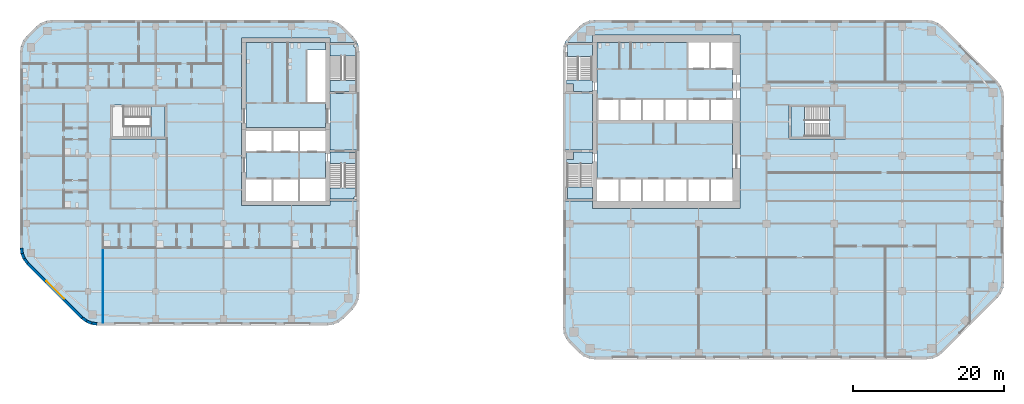
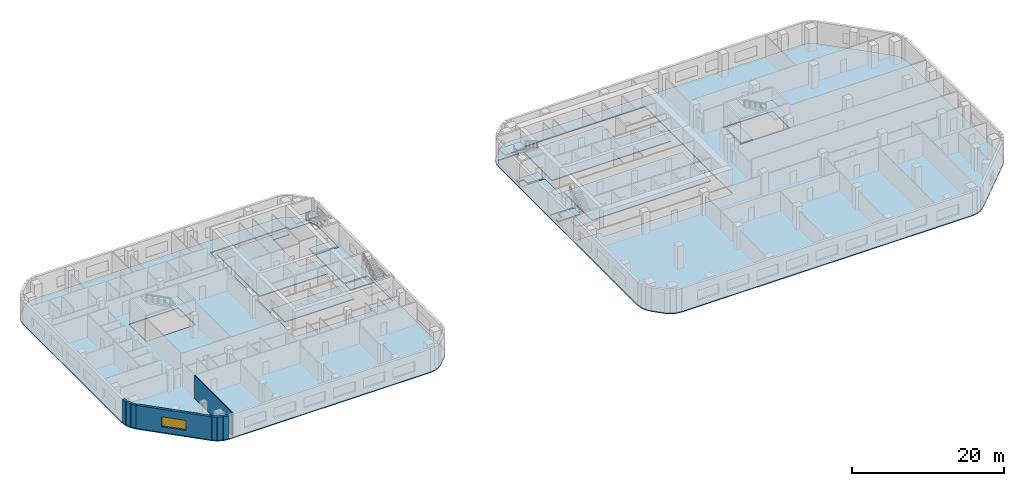
# One storey, part 4 of 16: 17 slabs, 8 walls, 1 window, 1 opening, 6 elements without a shape of their own.
"""IFC4 building model written with IfcOpenShell, lengths in metres."""

from ifc_helpers import new_model, si_unit, direction, frame, frame_2d, origin, place, context, subcontext, project, spatial, polyline, rectangle, outline, extrude, material, layer, layer_set, type_object, element, fill, aggregate, save


model = new_model("IFC4")

# Units and contexts
model_context = context("Model", 3, precision=1e-05, world=origin(), true_north=direction((0.0, 1.0)))
body_context = subcontext(model_context, "Body", "Model", "MODEL_VIEW")
ifc_project = project(units=[si_unit("LENGTHUNIT", "METRE"), si_unit("AREAUNIT", "SQUARE_METRE"), si_unit("VOLUMEUNIT", "CUBIC_METRE"), si_unit("PLANEANGLEUNIT", "RADIAN"), si_unit("MASSUNIT", "GRAM", prefix="KILO")], contexts=[model_context])

# Site, building, storey
site_placement = place(None, origin())
site = spatial("IfcSite", under=ifc_project, at=site_placement, CompositionType="ELEMENT")
building_placement = place(site_placement, origin())
building = spatial("IfcBuilding", under=site, at=building_placement, Name="Cinnabar Reach Civic Tower", CompositionType="ELEMENT")
storey_placement = place(building_placement, frame((0.0, 0.0, 42.0)))
storey = spatial("IfcBuildingStorey", under=building, at=storey_placement, Name="L09", CompositionType="ELEMENT", Elevation=42.0)

# Slabs
ifc_material_1 = material(Name="Concrete C40", Category="concrete")
ifc_layer_1 = layer(ifc_material_1, 0.15)
ifc_layer_set_1 = layer_set([ifc_layer_1], Name="Composite floor slab 150 REI 120")
slab_type_1 = type_object("IfcSlabType", Name="Composite floor slab 150 REI 120", PredefinedType="FLOOR", material=ifc_layer_set_1)
slab_1_placement = place(storey_placement, frame((0.0, 0.0, -0.15)))
element("IfcSlab", 1, at=slab_1_placement, inside=storey, type_object=slab_type_1, Name="Composite floor slab 150 T2 L09", PredefinedType="FLOOR", context=body_context, shape_type="SweptSolid", body=[
    extrude(outline(polyline([(-71.1213, 12.6213), (-71.5981, 13.2426), (-71.8978, 13.9662), (-72.0, 14.7426), (-72.0, 40.7574), (-71.8978, 41.5338), (-71.5981, 42.2574), (-71.1213, 42.8787), (-69.8787, 44.1213), (-69.2574, 44.5981), (-68.5338, 44.8978), (-67.7574, 45.0), (-31.2426, 45.0), (-30.4662, 44.8978), (-29.7426, 44.5981), (-29.1213, 44.1213), (-27.8787, 42.8787), (-27.4019, 42.2574), (-27.1022, 41.5338), (-27.0, 40.7574), (-27.0, 8.7426), (-27.1022, 7.9662), (-27.4019, 7.2426), (-27.8787, 6.6213), (-29.1213, 5.3787), (-29.7426, 4.9019), (-30.4662, 4.6022), (-31.2426, 4.5), (-61.7574, 4.5), (-62.5338, 4.6022), (-63.2574, 4.9019), (-63.8787, 5.3787), (-71.1213, 12.6213)]), holes=[polyline([(-30.9, 27.75), (-30.9, 35.25), (-27.36, 35.25), (-27.36, 40.7338), (-27.453, 41.4398), (-27.685, 42.0), (-30.9, 42.0), (-30.9, 42.6), (-42.6, 42.6), (-42.6, 20.4), (-30.9, 20.4), (-30.9, 21.0), (-27.36, 21.0), (-27.36, 27.75), (-30.9, 27.75)]), polyline([(-60.0, 33.75), (-60.0, 29.25), (-52.5, 29.25), (-52.5, 33.75), (-60.0, 33.75)])]), origin(), (0.0, 0.0, 1.0), 0.15),
])
ifc_layer_2 = layer(ifc_material_1, 0.15)
ifc_layer_set_2 = layer_set([ifc_layer_2], Name="Composite floor slab 150 REI 150")
slab_type_2 = type_object("IfcSlabType", Name="Composite floor slab 150 REI 150", PredefinedType="FLOOR", material=ifc_layer_set_2)
slab_2_placement = place(storey_placement, frame((0.0, 0.0, -0.15)))
element("IfcSlab", 2, at=slab_2_placement, inside=storey, type_object=slab_type_2, Name="Composite floor slab 150 T1 L09", PredefinedType="FLOOR", context=body_context, shape_type="SweptSolid", body=[
    extrude(outline(polyline([(0.8787, 2.1213), (0.4019, 2.7426), (0.1022, 3.4662), (0.0, 4.2426), (0.0, 40.7574), (0.1022, 41.5338), (0.4019, 42.2574), (0.8787, 42.8787), (2.1213, 44.1213), (2.7426, 44.5981), (3.4662, 44.8978), (4.2426, 45.0), (48.2574, 45.0), (49.0338, 44.8978), (49.7574, 44.5981), (50.3787, 44.1213), (57.6213, 36.8787), (58.0981, 36.2574), (58.3978, 35.5338), (58.5, 34.7574), (58.5, 10.2426), (58.3978, 9.4662), (58.0981, 8.7426), (57.6213, 8.1213), (50.3787, 0.8787), (49.7574, 0.4019), (49.0338, 0.1022), (48.2574, 0.0), (4.2426, 0.0), (3.4662, 0.1022), (2.7426, 0.4019), (2.1213, 0.8787), (0.8787, 2.1213)]), holes=[polyline([(0.36, 21.0), (3.9, 21.0), (3.9, 20.0), (23.5, 20.0), (23.5, 43.0), (3.9, 43.0), (3.9, 42.0), (0.685, 42.0), (0.453, 41.4398), (0.36, 40.7338), (0.36, 35.25), (3.9, 35.25), (3.9, 27.75), (0.36, 27.75), (0.36, 21.0)]), polyline([(30.0, 33.75), (30.0, 29.25), (37.5, 29.25), (37.5, 33.75), (30.0, 33.75)])]), origin(), (0.0, 0.0, 1.0), 0.15),
])

# Stair, slabs
ifc_material_2 = material(Name="Concrete C40/50", Category="concrete")
stair_type_1 = type_object("IfcStairType", Name="T1 Exit stair, half-turn", PredefinedType="HALF_TURN_STAIR", material=ifc_material_2)
stair_1_placement = place(storey_placement, origin())
stair_1 = element("IfcStair", 3, at=stair_1_placement, inside=storey, type_object=stair_type_1, Name="Stair T1-S1", PredefinedType="HALF_TURN_STAIR")
ifc_layer_3 = layer(ifc_material_2, 0.2)
ifc_layer_set_3 = layer_set([ifc_layer_3], Name="T1 Stair landing 200, Concrete C40/50")
slab_type_3 = type_object("IfcSlabType", Name="T1 Stair landing 200, Concrete C40/50", PredefinedType="LANDING", material=ifc_layer_set_3)
slab_3_placement = place(storey_placement, frame((0.0, 0.0, -0.2)))
slab_3 = element("IfcSlab", 4, at=slab_3_placement, type_object=slab_type_3, Name="T1-S1 landing 1", PredefinedType="LANDING", context=body_context, shape_type="SweptSolid", body=[
    extrude(outline(polyline([(3.9, 27.5), (3.9, 25.95), (0.5, 25.95), (0.5, 26.5), (1.4, 26.5), (1.4, 27.5), (3.9, 27.5)])), origin(), (0.0, 0.0, 1.0), 0.2),
])
slab_4_placement = place(storey_placement, frame((0.0, 0.0, 1.8)))
slab_4 = element("IfcSlab", 5, at=slab_4_placement, type_object=slab_type_3, Name="T1-S1 landing 2", PredefinedType="LANDING", context=body_context, shape_type="SweptSolid", body=[
    extrude(outline(polyline([(0.6, 21.25), (0.6, 22.87), (3.9, 22.87), (3.9, 21.25), (0.6, 21.25)])), origin(), (0.0, 0.0, 1.0), 0.2),
])
aggregate(stair_1, [slab_3, slab_4])

stair_2_placement = place(storey_placement, origin())
stair_2 = element("IfcStair", 6, at=stair_2_placement, inside=storey, type_object=stair_type_1, Name="Stair T1-S2", PredefinedType="HALF_TURN_STAIR")
slab_5_placement = place(storey_placement, frame((0.0, 0.0, -0.2)))
slab_5 = element("IfcSlab", 7, at=slab_5_placement, type_object=slab_type_3, Name="T1-S2 landing 1", PredefinedType="LANDING", context=body_context, shape_type="SweptSolid", body=[
    extrude(outline(polyline([(0.5, 37.05), (3.9, 37.05), (3.9, 35.5), (1.4, 35.5), (1.4, 36.5), (0.5, 36.5), (0.5, 37.05)])), origin(), (0.0, 0.0, 1.0), 0.2),
])
slab_6_placement = place(storey_placement, frame((0.0, 0.0, 1.8)))
slab_6 = element("IfcSlab", 8, at=slab_6_placement, type_object=slab_type_3, Name="T1-S2 landing 2", PredefinedType="LANDING", context=body_context, shape_type="SweptSolid", body=[
    extrude(outline(polyline([(0.6, 40.13), (0.6, 41.75), (3.9, 41.75), (3.9, 40.13), (0.6, 40.13)])), origin(), (0.0, 0.0, 1.0), 0.2),
])
aggregate(stair_2, [slab_5, slab_6])

stair_3_placement = place(storey_placement, origin())
stair_3 = element("IfcStair", 9, at=stair_3_placement, inside=storey, type_object=stair_type_1, Name="Stair T1-S3", PredefinedType="HALF_TURN_STAIR")
slab_7_placement = place(storey_placement, frame((0.0, 0.0, -0.2)))
slab_7 = element("IfcSlab", 10, at=slab_7_placement, type_object=slab_type_3, Name="T1-S3 landing 1", PredefinedType="LANDING", context=body_context, shape_type="SweptSolid", body=[
    extrude(outline(polyline([(30.25, 29.5), (32.05, 29.5), (32.05, 33.5), (30.25, 33.5), (30.25, 29.5)])), origin(), (0.0, 0.0, 1.0), 0.2),
])
slab_8_placement = place(storey_placement, frame((0.0, 0.0, 1.8)))
slab_8 = element("IfcSlab", 11, at=slab_8_placement, type_object=slab_type_3, Name="T1-S3 landing 2", PredefinedType="LANDING", context=body_context, shape_type="SweptSolid", body=[
    extrude(outline(polyline([(35.35, 29.5), (37.25, 29.5), (37.25, 33.5), (35.35, 33.5), (35.35, 29.5)])), origin(), (0.0, 0.0, 1.0), 0.2),
])
aggregate(stair_3, [slab_7, slab_8])

# Slabs
ifc_layer_4 = layer(ifc_material_2, 0.15)
ifc_layer_set_4 = layer_set([ifc_layer_4], Name="T1 core floor slab 150")
slab_type_4 = type_object("IfcSlabType", Name="T1 core floor slab 150", PredefinedType="FLOOR", material=ifc_layer_set_4)
slab_9_placement = place(storey_placement, frame((0.0, 0.0, -0.15)))
element("IfcSlab", 12, at=slab_9_placement, inside=storey, type_object=slab_type_4, Name="Core floor slab L09", PredefinedType="FLOOR", context=body_context, shape_type="SweptSolid", body=[
    extrude(outline(polyline([(22.5, 24.0), (19.5, 24.0), (16.5, 24.0), (13.5, 24.0), (10.5, 24.0), (7.5, 24.0), (4.5, 24.0), (4.5, 31.5), (7.5, 31.5), (10.5, 31.5), (13.5, 31.5), (16.5, 31.5), (19.5, 31.5), (22.5, 31.5), (22.5, 24.0)])), origin(), (0.0, 0.0, 1.0), 0.15),
])
slab_10_placement = place(storey_placement, frame((0.0, 0.0, -0.15)))
element("IfcSlab", 13, at=slab_10_placement, inside=storey, type_object=slab_type_4, Name="Core floor slab L09", PredefinedType="FLOOR", context=body_context, shape_type="SweptSolid", body=[
    extrude(outline(polyline([(22.5, 34.5), (19.5, 34.5), (16.5, 34.5), (13.5, 34.5), (10.5, 34.5), (7.5, 34.5), (4.5, 34.5), (4.5, 42.0), (16.5, 42.0), (16.5, 38.5), (19.5, 38.5), (22.5, 38.5), (22.5, 34.5)])), origin(), (0.0, 0.0, 1.0), 0.15),
])
ifc_layer_5 = layer(ifc_material_1, 0.15)
ifc_layer_set_5 = layer_set([ifc_layer_5], Name="T2 Core floor slab 150")
slab_type_5 = type_object("IfcSlabType", Name="T2 Core floor slab 150", PredefinedType="FLOOR", material=ifc_layer_set_5)
slab_11_placement = place(storey_placement, frame((0.0, 0.0, -0.15)))
element("IfcSlab", 14, at=slab_11_placement, inside=storey, type_object=slab_type_5, Name="Core floor slab L09", PredefinedType="FLOOR", context=body_context, shape_type="SweptSolid", body=[
    extrude(outline(polyline([(-42.0, 42.0), (-31.5, 42.0), (-31.5, 41.0), (-34.0, 41.0), (-34.0, 34.0), (-31.5, 34.0), (-31.5, 30.75), (-42.0, 30.75), (-42.0, 42.0)])), origin(), (0.0, 0.0, 1.0), 0.15),
])
slab_12_placement = place(storey_placement, frame((0.0, 0.0, -0.15)))
element("IfcSlab", 15, at=slab_12_placement, inside=storey, type_object=slab_type_5, Name="Core floor slab L09", PredefinedType="FLOOR", context=body_context, shape_type="SweptSolid", body=[
    extrude(outline(polyline([(-35.0, 24.0), (-38.5, 24.0), (-42.0, 24.0), (-42.0, 27.5), (-38.5, 27.5), (-35.0, 27.5), (-31.5, 27.5), (-31.5, 24.0), (-35.0, 24.0)])), origin(), (0.0, 0.0, 1.0), 0.15),
])

# Stair, slabs
stair_type_2 = type_object("IfcStairType", Name="T2 Exit stair 1500", PredefinedType="HALF_TURN_STAIR", material=ifc_material_1)
stair_4_placement = place(storey_placement, origin())
stair_4 = element("IfcStair", 16, at=stair_4_placement, inside=storey, type_object=stair_type_2, Name="Exit stair 1", PredefinedType="HALF_TURN_STAIR")
ifc_layer_6 = layer(ifc_material_1, 0.2)
ifc_layer_set_6 = layer_set([ifc_layer_6], Name="T2 Stair landing 200")
slab_type_6 = type_object("IfcSlabType", Name="T2 Stair landing 200", PredefinedType="LANDING", material=ifc_layer_set_6)
slab_13_placement = place(storey_placement, frame((0.0, 0.0, -0.2)))
slab_13 = element("IfcSlab", 17, at=slab_13_placement, type_object=slab_type_6, Name="ST1 landing 1", PredefinedType="LANDING", context=body_context, shape_type="SweptSolid", body=[
    extrude(outline(polyline([(-30.9, 26.0), (-30.9, 27.5), (-27.4, 27.5), (-27.4, 26.0), (-30.9, 26.0)])), origin(), (0.0, 0.0, 1.0), 0.2),
])
slab_14_placement = place(storey_placement, frame((0.0, 0.0, 1.8)))
slab_14 = element("IfcSlab", 18, at=slab_14_placement, type_object=slab_type_6, Name="ST1 landing 2", PredefinedType="LANDING", context=body_context, shape_type="SweptSolid", body=[
    extrude(outline(polyline([(-30.9, 21.25), (-30.9, 22.75), (-27.4, 22.75), (-27.4, 21.55), (-27.7, 21.55), (-27.7, 21.25), (-30.9, 21.25)])), origin(), (0.0, 0.0, 1.0), 0.2),
])
aggregate(stair_4, [slab_13, slab_14])

stair_5_placement = place(storey_placement, origin())
stair_5 = element("IfcStair", 19, at=stair_5_placement, inside=storey, type_object=stair_type_2, Name="Exit stair 2", PredefinedType="HALF_TURN_STAIR")
slab_15_placement = place(storey_placement, frame((0.0, 0.0, -0.2)))
slab_15 = element("IfcSlab", 20, at=slab_15_placement, type_object=slab_type_6, Name="ST2 landing 1", PredefinedType="LANDING", context=body_context, shape_type="SweptSolid", body=[
    extrude(outline(polyline([(-30.9, 35.5), (-30.9, 37.0), (-27.4, 37.0), (-27.4, 35.5), (-30.9, 35.5)])), origin(), (0.0, 0.0, 1.0), 0.2),
])
slab_16_placement = place(storey_placement, frame((0.0, 0.0, 1.8)))
slab_16 = element("IfcSlab", 21, at=slab_16_placement, type_object=slab_type_6, Name="ST2 landing 2", PredefinedType="LANDING", context=body_context, shape_type="SweptSolid", body=[
    extrude(outline(polyline([(-27.4, 40.25), (-30.9, 40.25), (-30.9, 41.75), (-27.7, 41.75), (-27.7, 41.45), (-27.4, 41.45), (-27.4, 40.25)])), origin(), (0.0, 0.0, 1.0), 0.2),
])
aggregate(stair_5, [slab_15, slab_16])

# Stair, slab
stair_6_placement = place(storey_placement, origin())
stair_6 = element("IfcStair", 22, at=stair_6_placement, inside=storey, type_object=stair_type_2, Name="Exit stair 3", PredefinedType="HALF_TURN_STAIR")
slab_17_placement = place(storey_placement, frame((0.0, 0.0, 1.8)))
slab_17 = element("IfcSlab", 23, at=slab_17_placement, type_object=slab_type_6, Name="ST3 landing 2", PredefinedType="LANDING", context=body_context, shape_type="SweptSolid", body=[
    extrude(outline(polyline([(-54.65, 29.375), (-54.65, 33.625), (-52.75, 33.625), (-52.75, 29.375), (-54.65, 29.375)])), origin(), (0.0, 0.0, 1.0), 0.2),
])
aggregate(stair_6, [slab_17])

# Walls
ifc_material_3 = material(Name="Facing brick with insulated backing", Category="masonry")
ifc_layer_7 = layer(ifc_material_3, 0.36)
ifc_layer_set_7 = layer_set([ifc_layer_7], Name="Brick corner wall")
wall_type_1 = type_object("IfcWallType", Name="Brick corner wall", PredefinedType="STANDARD", material=ifc_layer_set_7)
for number, where, z_axis, x_axis, name in (
    (24, (-71.817, 14.7314, 0.0), (0.0, 0.0, 1.0), (0.13055608231, -0.99144092581, 0.0), "Brick corner wall"),
    (25, (-71.7181, 14.0027, 0.0), (0.0, 0.0, 1.0), (0.382702709855, -0.923871547278, 0.0), "Brick corner wall"),
):
    element("IfcWall", number, at=place(storey_placement, frame(where, z_axis=z_axis, x_axis=x_axis)), inside=storey, type_object=wall_type_1, Name=name, PredefinedType="STANDARD", context=body_context, shape_type="SweptSolid", body=[
        extrude(rectangle(XDim=0.7131, YDim=0.36, at=frame_2d((0.3565, 0.0))), origin(), (0.0, 0.0, 1.0), 3.7),
    ])
for number, where, z_axis, x_axis, name in (
    (26, (-71.434, 13.3245, 0.0), (0.0, 0.0, 1.0), (0.608802368033, -0.793321924995, 0.0), "Brick corner wall"),
    (27, (-63.7413, 5.5002, 0.0), (0.0, 0.0, 1.0), (0.793321924995, -0.608802368033, 0.0), "Brick corner wall"),
):
    element("IfcWall", number, at=place(storey_placement, frame(where, z_axis=z_axis, x_axis=x_axis)), inside=storey, type_object=wall_type_1, Name=name, PredefinedType="STANDARD", context=body_context, shape_type="SweptSolid", body=[
        extrude(rectangle(XDim=0.7132, YDim=0.36, at=frame_2d((0.3566, 0.0))), origin(), (0.0, 0.0, 1.0), 3.7),
    ])
for number, where, z_axis, x_axis, name in (
    (28, (-63.1561, 5.0548, 0.0), (0.0, 0.0, 1.0), (0.923871547278, -0.382702709855, 0.0), "Brick corner wall"),
    (29, (-62.4756, 4.7761, 0.0), (0.0, 0.0, 1.0), (0.99144092581, -0.13055608231, 0.0), "Brick corner wall"),
):
    element("IfcWall", number, at=place(storey_placement, frame(where, z_axis=z_axis, x_axis=x_axis)), inside=storey, type_object=wall_type_1, Name=name, PredefinedType="STANDARD", context=body_context, shape_type="SweptSolid", body=[
        extrude(rectangle(XDim=0.7131, YDim=0.36, at=frame_2d((0.3565, 0.0))), origin(), (0.0, 0.0, 1.0), 3.7),
    ])

# Wall, opening, window
ifc_layer_8 = layer(ifc_material_3, 0.36)
ifc_layer_set_8 = layer_set([ifc_layer_8], Name="Brick pier and spandrel wall")
wall_type_2 = type_object("IfcWallType", Name="Brick pier and spandrel wall", PredefinedType="STANDARD", material=ifc_layer_set_8)
wall_1_placement = place(storey_placement, frame((-70.994, 12.7486, 0.0), z_axis=(0.0, 0.0, 1.0), x_axis=(0.707106781187, -0.707106781187, 0.0)))
wall_1 = element("IfcWall", 30, at=wall_1_placement, inside=storey, type_object=wall_type_2, Name="Brick facade wall", PredefinedType="STANDARD", context=body_context, shape_type="SweptSolid", body=[
    extrude(rectangle(XDim=10.2426, YDim=0.36, at=frame_2d((5.1213, 0.0))), origin(), (0.0, 0.0, 1.0), 3.7),
])
opening_placement = place(wall_1_placement, frame((3.4713, 0.0, 0.9)))
opening = element("IfcOpeningElement", 31, at=opening_placement, cuts=wall_1, Name="Opening W2459", PredefinedType="OPENING", context=body_context, shape_type="SweptSolid", body=[
    extrude(rectangle(XDim=3.3, YDim=1.6, at=frame_2d((1.65, 0.8))), frame((0.0, 0.19, 0.0), z_axis=(0.0, -1.0, 0.0), x_axis=(1.0, 0.0, 0.0)), (0.0, 0.0, 1.0), 0.38),
])
ifc_material_4 = material(Name="Clear double glazing in aluminium frame", Category="aluminium")
window_type = type_object("IfcWindowType", Name="Deep-set window A", PartitioningType="SINGLE_PANEL", PredefinedType="WINDOW", material=ifc_material_4)
window_placement = place(opening_placement, origin())
window = element("IfcWindow", 32, at=window_placement, inside=storey, type_object=window_type, Name="Window southwest face", OverallHeight=1.6, OverallWidth=3.3, PartitioningType="SINGLE_PANEL", PredefinedType="WINDOW", context=body_context, shape_type="SweptSolid", body=[
    extrude(rectangle(XDim=3.3, YDim=1.6, at=frame_2d((1.65, 0.8))), frame((0.0, 0.13, 0.0), z_axis=(0.0, -1.0, 0.0), x_axis=(1.0, 0.0, 0.0)), (0.0, 0.0, 1.0), 0.06),
])
fill(opening, window)

# Wall
ifc_material_5 = material(Name="Gypsum board on steel studs", Category="steel")
ifc_layer_9 = layer(ifc_material_5, 0.1)
ifc_layer_set_9 = layer_set([ifc_layer_9], Name="Partition wall 100 T2")
wall_type_3 = type_object("IfcWallType", Name="Partition wall 100 T2", PredefinedType="PARTITIONING", material=ifc_layer_set_9)
wall_2_placement = place(storey_placement, frame((-61.0, 4.86, 0.0), z_axis=(0.0, 0.0, 1.0), x_axis=(0.0, 1.0, 0.0)))
element("IfcWall", 33, at=wall_2_placement, inside=storey, type_object=wall_type_3, Name="Partition wall 38", PredefinedType="PARTITIONING", context=body_context, shape_type="SweptSolid", body=[
    extrude(rectangle(XDim=9.89, YDim=0.1, at=frame_2d((4.945, 0.0))), origin(), (0.0, 0.0, 1.0), 3.7),
])

save(model, "model.ifc")
